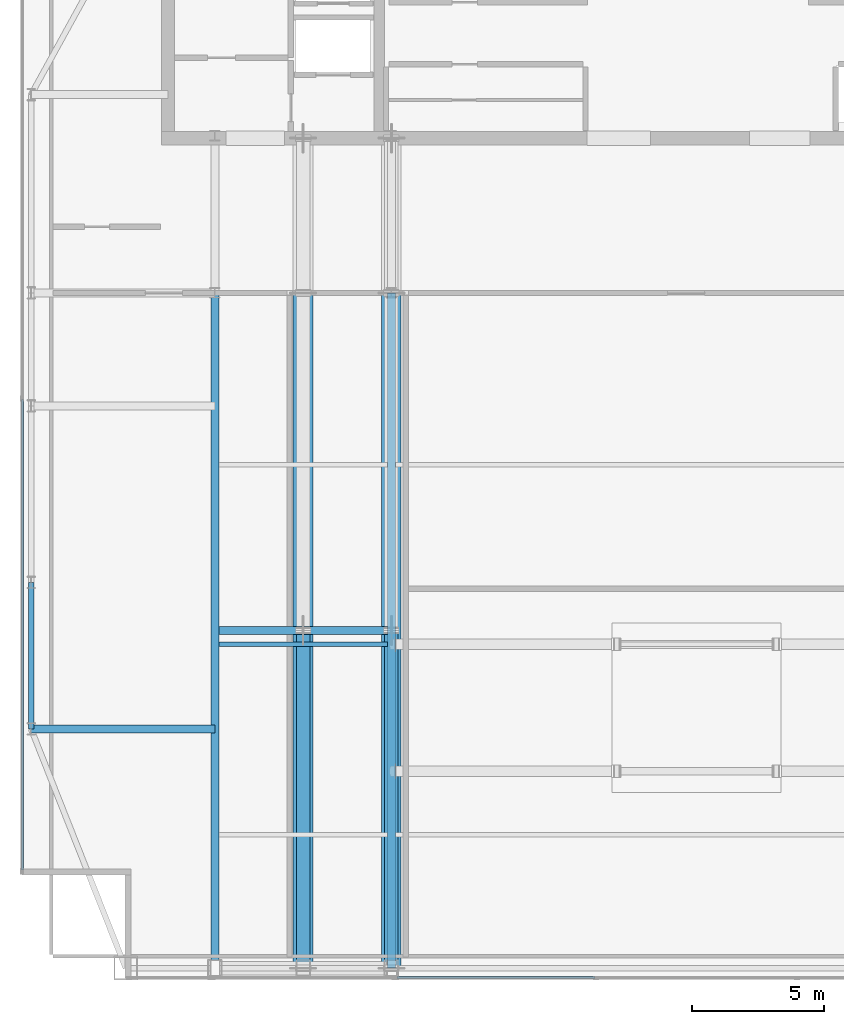
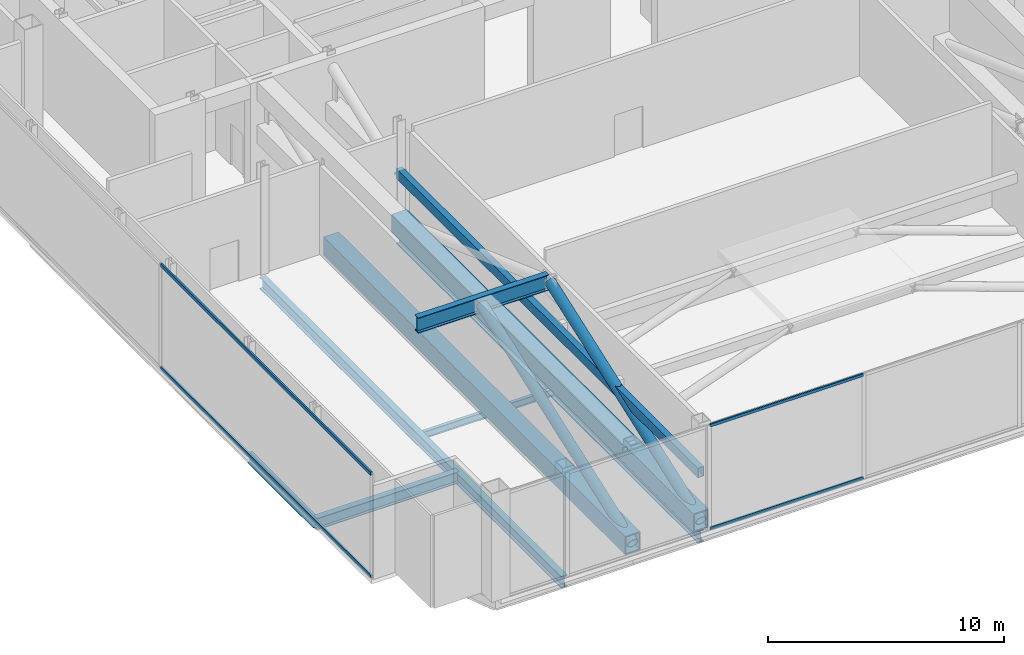
# One storey, part 5 of 26: 8 members, 7 beams, 2 elements without a shape of their own.
"""IFC4 building model written with IfcOpenShell, lengths in metres."""

from ifc_helpers import new_model, si_unit, direction, frame, origin, origin_2d, place, context, subcontext, project, spatial, hollow_rectangle, hollow_circle, i_section, extrude, material, material_profile, profile_set, type_object, element, aggregate, save


model = new_model("IFC4")

# Units and contexts
model_context = context("Model", 3, precision=1e-05, world=origin(), true_north=direction((0.0, 1.0)))
body_context = subcontext(model_context, "Body", "Model", "MODEL_VIEW")
ifc_project = project(units=[si_unit("LENGTHUNIT", "METRE"), si_unit("AREAUNIT", "SQUARE_METRE"), si_unit("VOLUMEUNIT", "CUBIC_METRE"), si_unit("PLANEANGLEUNIT", "RADIAN"), si_unit("MASSUNIT", "GRAM", prefix="KILO")], contexts=[model_context])

# Site, building, storey
site_placement = place(None, origin())
site = spatial("IfcSite", under=ifc_project, at=site_placement, CompositionType="ELEMENT")
building_placement = place(site_placement, origin())
building = spatial("IfcBuilding", under=site, at=building_placement, Name="Khoronbel Lancet Exchange", CompositionType="ELEMENT")
storey_placement = place(building_placement, frame((0.0, 0.0, 350.60009765625)))
storey = spatial("IfcBuildingStorey", under=building, at=storey_placement, Name="L91", CompositionType="ELEMENT", Elevation=350.60009765625)

# Beams
ifc_material_1 = material(Name="Steel S355", Category="steel")
ifc_material_profile_1 = material_profile(ifc_material_1, i_section(OverallWidth=0.300048828125, OverallDepth=0.800048828125, WebThickness=0.017578125, FlangeThickness=0.032958984375, at=origin_2d()), Name="HEB 800")
ifc_profile_set_1 = profile_set([ifc_material_profile_1], Name="Steel S355")
beam_type_1 = type_object("IfcBeamType", Name="BM-BG2", PredefinedType="BEAM", material=ifc_profile_set_1)
beam_1_placement = place(storey_placement, frame((18.375, 22.925048828125, 5.0), z_axis=(1.0, 0.0, 0.0), x_axis=(0.0, 1.0, 0.0)))
element("IfcBeam", 1, at=beam_1_placement, inside=storey, type_object=beam_type_1, Name="Outrigger apex collector beam L91-W", PredefinedType="BEAM", context=body_context, shape_type="SweptSolid", body=[
    extrude(i_section(OverallWidth=0.300048828125, OverallDepth=0.800048828125, WebThickness=0.017578125, FlangeThickness=0.032958984375, at=origin_2d()), origin(), (0.0, 0.0, 1.0), 6.375),
])
ifc_material_profile_2 = material_profile(ifc_material_1, i_section(OverallWidth=0.300048828125, OverallDepth=0.60009765625, WebThickness=0.015380859375, FlangeThickness=0.030029296875, at=origin_2d()), Name="HEB 600")
ifc_profile_set_2 = profile_set([ifc_material_profile_2], Name="Steel S355")
beam_type_2 = type_object("IfcBeamType", Name="BM-BG5", PredefinedType="BEAM", material=ifc_profile_set_2)
for number, where, z_axis, x_axis, name in (
    (2, (18.22509765625, 10.14990234375, -0.52001953125), (0.0, 1.0, 0.0), (-1.0, 0.0, 0.0), "Level L91 south primary girder GS1"),
    (3, (24.89990234375, 10.14990234375, -0.52001953125), (0.0, 1.0, 0.0), (-1.0, 0.0, 0.0), "Level L91 south primary girder GS2"),
):
    element("IfcBeam", number, at=place(storey_placement, frame(where, z_axis=z_axis, x_axis=x_axis)), inside=storey, type_object=beam_type_2, Name=name, PredefinedType="BEAM", context=body_context, shape_type="SweptSolid", body=[
        extrude(i_section(OverallWidth=0.300048828125, OverallDepth=0.60009765625, WebThickness=0.015380859375, FlangeThickness=0.030029296875, at=origin_2d()), origin(), (0.0, 0.0, 1.0), 25.550048828125),
    ])
beam_2_placement = place(storey_placement, frame((11.27001953125, 19.199951171875, -0.52001953125), z_axis=(1.0, 0.0, 0.0), x_axis=(0.0, 1.0, 0.0)))
element("IfcBeam", 4, at=beam_2_placement, inside=storey, type_object=beam_type_2, Name="Level L91 west lens tie girder LG1W", PredefinedType="BEAM", context=body_context, shape_type="SweptSolid", body=[
    extrude(i_section(OverallWidth=0.300048828125, OverallDepth=0.60009765625, WebThickness=0.015380859375, FlangeThickness=0.030029296875, at=origin_2d()), origin(), (0.0, 0.0, 1.0), 6.955078125),
])
ifc_material_profile_3 = material_profile(ifc_material_1, i_section(OverallWidth=0.169921875, OverallDepth=0.360107421875, WebThickness=0.008056640625, FlangeThickness=0.0126953125, at=origin_2d()), Name="IPE 360")
ifc_profile_set_3 = profile_set([ifc_material_profile_3], Name="Steel S355")
beam_type_3 = type_object("IfcBeamType", Name="BM-BJ6", PredefinedType="JOIST", material=ifc_profile_set_3)
beam_3_placement = place(storey_placement, frame((18.375, 22.39990234375, -0.400146484375), z_axis=(1.0, 0.0, 0.0), x_axis=(0.0, 1.0, 0.0)))
element("IfcBeam", 5, at=beam_3_placement, inside=storey, type_object=beam_type_3, Name="Level L91 secondary composite joist J04", PredefinedType="JOIST", context=body_context, shape_type="SweptSolid", body=[
    extrude(i_section(OverallWidth=0.169921875, OverallDepth=0.360107421875, WebThickness=0.008056640625, FlangeThickness=0.0126953125, at=origin_2d()), origin(), (0.0, 0.0, 1.0), 6.375),
])
ifc_material_profile_4 = material_profile(ifc_material_1, i_section(OverallWidth=0.2099609375, OverallDepth=0.550048828125, WebThickness=0.010986328125, FlangeThickness=0.01708984375, at=origin_2d()), Name="IPE 550")
ifc_profile_set_4 = profile_set([ifc_material_profile_4], Name="Steel S355")
beam_type_4 = type_object("IfcBeamType", Name="BM-BSP3", PredefinedType="SPANDREL", material=ifc_profile_set_4)
beam_4_placement = place(storey_placement, frame((11.27001953125, 24.75, -0.4951171875), z_axis=(0.0, -1.0, 0.0), x_axis=(1.0, 0.0, 0.0)))
element("IfcBeam", 6, at=beam_4_placement, inside=storey, type_object=beam_type_4, Name="Level L91 perimeter spandrel beam SP18", PredefinedType="SPANDREL", context=body_context, shape_type="SweptSolid", body=[
    extrude(i_section(OverallWidth=0.2099609375, OverallDepth=0.550048828125, WebThickness=0.010986328125, FlangeThickness=0.01708984375, at=origin_2d()), origin(), (0.0, 0.0, 1.0), 5.550048828125),
])
ifc_material_profile_5 = material_profile(ifc_material_1, hollow_rectangle(XDim=0.300048828125, YDim=0.5, WallThickness=0.02001953125, at=origin_2d()), Name="RHS 500x300x20")
ifc_profile_set_5 = profile_set([ifc_material_profile_5], Name="Steel S355")
beam_type_5 = type_object("IfcBeamType", Name="BM-RB2", PredefinedType="USERDEFINED", material=ifc_profile_set_5)
beam_5_placement = place(storey_placement, frame((24.89990234375, 10.14990234375, 2.7998046875), z_axis=(0.0, 1.0, 0.0), x_axis=(-1.0, 0.0, 0.0)))
element("IfcBeam", 7, at=beam_5_placement, inside=storey, type_object=beam_type_5, Name="Tuned mass damper side frame girder W", ObjectType="RING BEAM", PredefinedType="USERDEFINED", context=body_context, shape_type="SweptSolid", body=[
    extrude(hollow_rectangle(XDim=0.300048828125, YDim=0.5, WallThickness=0.02001953125, at=origin_2d()), origin(), (0.0, 0.0, 1.0), 25.550048828125),
])

# Curtain wall, members
ifc_material_2 = material(Name="Low-E Solar Control Insulating Glass", Category="glass")
curtain_wall_type = type_object("IfcCurtainWallType", Name="CW-6", PredefinedType="NOTDEFINED", material=ifc_material_2)
curtain_wall_1_placement = place(storey_placement, origin())
curtain_wall_1 = element("IfcCurtainWall", 8, at=curtain_wall_1_placement, inside=storey, type_object=curtain_wall_type, Name="Unitised curtain wall CW-L91-E03", PredefinedType="NOTDEFINED")
ifc_material_3 = material(Name="Bronze-Anodised Aluminium 6063-T6", Category="aluminium")
ifc_material_profile_6 = material_profile(ifc_material_3, hollow_rectangle(XDim=0.0849609375, YDim=0.179931640625, WallThickness=0.0048828125, at=origin_2d()), Name="ALU TRANSOM 85x180")
ifc_profile_set_6 = profile_set([ifc_material_profile_6], Name="Bronze-Anodised Aluminium 6063-T6")
member_type_1 = type_object("IfcMemberType", Name="MEM-CWT1", PredefinedType="USERDEFINED", material=ifc_profile_set_6)
member_1_placement = place(storey_placement, frame((10.93994140625, 13.864990234375, 0.04248046875), z_axis=(0.0, 1.0, 0.0), x_axis=(-1.0, 0.0, 0.0)))
member_1 = element("IfcMember", 9, at=member_1_placement, type_object=member_type_1, Name="CW6 transom 1.1", ObjectType="TRANSOM", PredefinedType="USERDEFINED", context=body_context, shape_type="SweptSolid", body=[
    extrude(hollow_rectangle(XDim=0.0849609375, YDim=0.179931640625, WallThickness=0.0048828125, at=origin_2d()), origin(), (0.0, 0.0, 1.0), 17.797607421875),
])
member_2_placement = place(storey_placement, frame((10.93994140625, 13.864990234375, 5.357421875), z_axis=(0.0, 1.0, 0.0), x_axis=(-1.0, 0.0, 0.0)))
member_2 = element("IfcMember", 10, at=member_2_placement, type_object=member_type_1, Name="CW6 transom 1.2", ObjectType="TRANSOM", PredefinedType="USERDEFINED", context=body_context, shape_type="SweptSolid", body=[
    extrude(hollow_rectangle(XDim=0.0849609375, YDim=0.179931640625, WallThickness=0.0048828125, at=origin_2d()), origin(), (0.0, 0.0, 1.0), 17.797607421875),
])
aggregate(curtain_wall_1, [member_1, member_2])

curtain_wall_2_placement = place(storey_placement, origin())
curtain_wall_2 = element("IfcCurtainWall", 11, at=curtain_wall_2_placement, inside=storey, type_object=curtain_wall_type, Name="Unitised curtain wall CW-L91-SC-TMD", PredefinedType="NOTDEFINED")
ifc_material_profile_7 = material_profile(ifc_material_3, hollow_rectangle(XDim=0.074951171875, YDim=0.14990234375, WallThickness=0.00439453125, at=origin_2d()), Name="ALU TRANSOM 75x150")
ifc_profile_set_7 = profile_set([ifc_material_profile_7], Name="Bronze-Anodised Aluminium 6063-T6")
member_type_2 = type_object("IfcMemberType", Name="MEM-CWT2", PredefinedType="USERDEFINED", material=ifc_profile_set_7)
member_3_placement = place(storey_placement, frame((25.125, 9.7900390625, 0.037353515625), z_axis=(1.0, 0.0, 0.0), x_axis=(0.0, 1.0, 0.0)))
member_3 = element("IfcMember", 12, at=member_3_placement, type_object=member_type_2, Name="CW6 transom 1.1", ObjectType="TRANSOM", PredefinedType="USERDEFINED", context=body_context, shape_type="SweptSolid", body=[
    extrude(hollow_rectangle(XDim=0.074951171875, YDim=0.14990234375, WallThickness=0.00439453125, at=origin_2d()), origin(), (0.0, 0.0, 1.0), 7.487548828125),
])
member_4_placement = place(storey_placement, frame((25.125, 9.7900390625, 5.3623046875), z_axis=(1.0, 0.0, 0.0), x_axis=(0.0, 1.0, 0.0)))
member_4 = element("IfcMember", 13, at=member_4_placement, type_object=member_type_2, Name="CW6 transom 1.2", ObjectType="TRANSOM", PredefinedType="USERDEFINED", context=body_context, shape_type="SweptSolid", body=[
    extrude(hollow_rectangle(XDim=0.074951171875, YDim=0.14990234375, WallThickness=0.00439453125, at=origin_2d()), origin(), (0.0, 0.0, 1.0), 7.487548828125),
])
aggregate(curtain_wall_2, [member_3, member_4])

# Members
ifc_material_4 = material(Name="Steel S460", Category="steel")
ifc_material_profile_8 = material_profile(ifc_material_4, hollow_circle(Radius=0.25390625, WallThickness=0.02490234375, at=origin_2d()), Name="CHS 508x25")
ifc_profile_set_8 = profile_set([ifc_material_profile_8], Name="Steel S460")
member_type_3 = type_object("IfcMemberType", Name="MEM-OBR2", PredefinedType="BRACE", material=ifc_profile_set_8)
for number, where, z_axis, x_axis, name in (
    (14, (21.5625, 10.14990234375, 0.2998046875), (0.0, 0.940862883664, 0.338787594435), (-1.0, 0.0, 0.0), "Outrigger truss diagonal L91-1-1"),
    (15, (24.89990234375, 10.14990234375, 0.2998046875), (0.0, 0.940862883664, 0.338787594435), (-1.0, 0.0, 0.0), "Outrigger truss diagonal L91-2-1"),
):
    element("IfcMember", number, at=place(storey_placement, frame(where, z_axis=z_axis, x_axis=x_axis)), inside=storey, type_object=member_type_3, Name=name, PredefinedType="BRACE", context=body_context, shape_type="SweptSolid", body=[
        extrude(hollow_circle(Radius=0.25390625, WallThickness=0.02490234375, at=origin_2d()), origin(), (0.0, 0.0, 1.0), 13.578125),
    ])
ifc_material_profile_9 = material_profile(ifc_material_4, hollow_rectangle(XDim=0.75, YDim=0.949951171875, WallThickness=0.054931640625, at=origin_2d()), Name="BOX 950x750x55")
ifc_profile_set_9 = profile_set([ifc_material_profile_9], Name="Steel S460")
member_type_4 = type_object("IfcMemberType", Name="MEM-OCH2", PredefinedType="CHORD", material=ifc_profile_set_9)
for number, where, z_axis, x_axis, name in (
    (16, (21.5625, 10.14990234375, 0.2998046875), (0.0, 1.0, 0.0), (-1.0, 0.0, 0.0), "Outrigger truss bottom chord L91-1-BOT"),
    (17, (24.89990234375, 10.14990234375, 0.2998046875), (0.0, 1.0, 0.0), (-1.0, 0.0, 0.0), "Outrigger truss bottom chord L91-2-BOT"),
):
    element("IfcMember", number, at=place(storey_placement, frame(where, z_axis=z_axis, x_axis=x_axis)), inside=storey, type_object=member_type_4, Name=name, PredefinedType="CHORD", context=body_context, shape_type="SweptSolid", body=[
        extrude(hollow_rectangle(XDim=0.75, YDim=0.949951171875, WallThickness=0.054931640625, at=origin_2d()), origin(), (0.0, 0.0, 1.0), 25.550048828125),
    ])

save(model, "model.ifc")
